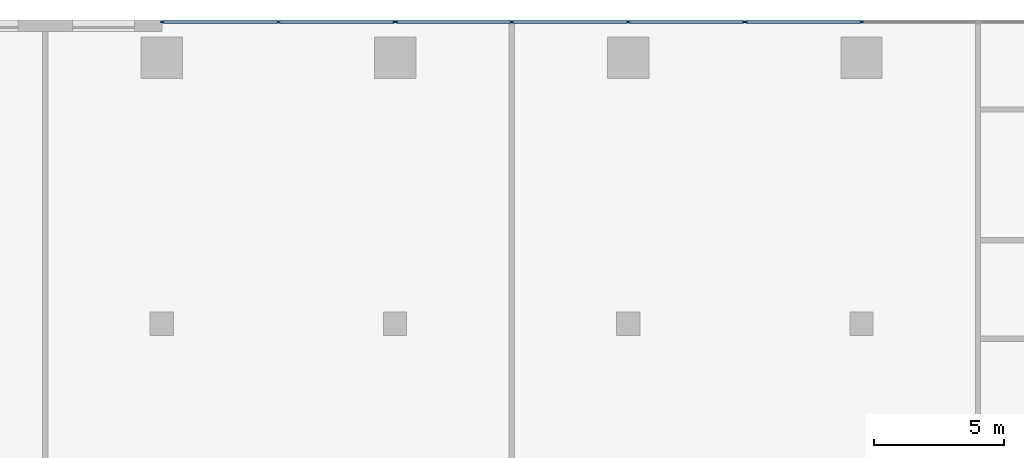
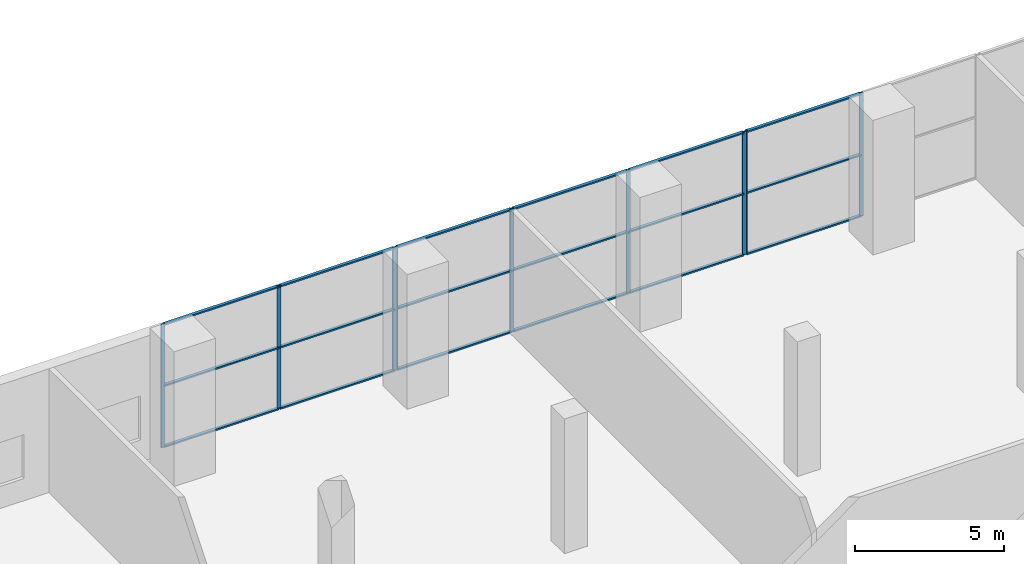
# One storey, part 4 of 21: 27 members, 3 elements without a shape of their own.
"""IFC4 building model written with IfcOpenShell, lengths in metres."""

from ifc_helpers import new_model, si_unit, direction, frame, origin, origin_2d, place, context, subcontext, project, spatial, rectangle, extrude, material, material_profile, profile_set, type_object, element, aggregate, save


model = new_model("IFC4")

# Units and contexts
model_context = context("Model", 3, precision=1e-05, world=origin(), true_north=direction((0.0, 1.0)))
body_context = subcontext(model_context, "Body", "Model", "MODEL_VIEW")
ifc_project = project(units=[si_unit("LENGTHUNIT", "METRE"), si_unit("AREAUNIT", "SQUARE_METRE"), si_unit("VOLUMEUNIT", "CUBIC_METRE"), si_unit("PLANEANGLEUNIT", "RADIAN"), si_unit("MASSUNIT", "GRAM", prefix="KILO")], contexts=[model_context])

# Site, building, storey
site_placement = place(None, origin())
site = spatial("IfcSite", under=ifc_project, at=site_placement, CompositionType="ELEMENT")
building_placement = place(site_placement, origin())
building = spatial("IfcBuilding", under=site, at=building_placement, Name="Kajstack Hotel Tower", CompositionType="ELEMENT")
storey_placement = place(building_placement, frame((0.0, 0.0, 23.5)))
storey = spatial("IfcBuildingStorey", under=building, at=storey_placement, Name="L03", CompositionType="ELEMENT", Elevation=23.5)

# Curtain wall, members
ifc_material_1 = material(Name="Aluminium-framed curtain wall, fritted glass", Category="aluminium")
curtain_wall_type = type_object("IfcCurtainWallType", Name="CW-MEET", PredefinedType="NOTDEFINED", material=ifc_material_1)
curtain_wall_1_placement = place(storey_placement, origin())
curtain_wall_1 = element("IfcCurtainWall", 1, at=curtain_wall_1_placement, inside=storey, type_object=curtain_wall_type, Name="Curtain wall CU3 L03-11-02-1", PredefinedType="NOTDEFINED")
ifc_material_2 = material(Name="Aluminium", Category="aluminium")
ifc_material_profile_1 = material_profile(ifc_material_2, rectangle(XDim=0.050048828125, YDim=0.14990234375, at=origin_2d()), Name="Aluminium mullion 50 x 150")
ifc_profile_set_1 = profile_set([ifc_material_profile_1], Name="Aluminium")
member_type_1 = type_object("IfcMemberType", Name="CW-M-MEET", PredefinedType="MULLION", material=ifc_profile_set_1)
member_1_placement = place(storey_placement, frame((0.0, 21.925048828125, 0.0), z_axis=(0.0, 0.0, 1.0), x_axis=(0.0, -1.0, 0.0)))
member_1 = element("IfcMember", 2, at=member_1_placement, type_object=member_type_1, Name="CU3 mullion 2", PredefinedType="MULLION", context=body_context, shape_type="SweptSolid", body=[
    extrude(rectangle(XDim=0.050048828125, YDim=0.14990234375, at=origin_2d()), origin(), (0.0, 0.0, 1.0), 5.050048828125),
])
member_2_placement = place(storey_placement, frame((-4.47509765625, 21.925048828125, 0.0), z_axis=(0.0, 0.0, 1.0), x_axis=(0.0, -1.0, 0.0)))
member_2 = element("IfcMember", 3, at=member_2_placement, type_object=member_type_1, Name="CU3 mullion 3", PredefinedType="MULLION", context=body_context, shape_type="SweptSolid", body=[
    extrude(rectangle(XDim=0.050048828125, YDim=0.14990234375, at=origin_2d()), origin(), (0.0, 0.0, 1.0), 5.050048828125),
])

curtain_wall_2_placement = place(storey_placement, origin())
curtain_wall_2 = element("IfcCurtainWall", 4, at=curtain_wall_2_placement, inside=storey, type_object=curtain_wall_type, Name="Curtain wall CU3 L03-11-02-2", PredefinedType="NOTDEFINED")
member_3_placement = place(storey_placement, frame((-4.52490234375, 21.925048828125, 0.0), z_axis=(0.0, 0.0, 1.0), x_axis=(0.0, -1.0, 0.0)))
member_3 = element("IfcMember", 5, at=member_3_placement, type_object=member_type_1, Name="CU3 mullion 1", PredefinedType="MULLION", context=body_context, shape_type="SweptSolid", body=[
    extrude(rectangle(XDim=0.050048828125, YDim=0.14990234375, at=origin_2d()), origin(), (0.0, 0.0, 1.0), 5.050048828125),
])
member_4_placement = place(storey_placement, frame((-9.0, 21.925048828125, 0.0), z_axis=(0.0, 0.0, 1.0), x_axis=(0.0, -1.0, 0.0)))
member_4 = element("IfcMember", 6, at=member_4_placement, type_object=member_type_1, Name="CU3 mullion 2", PredefinedType="MULLION", context=body_context, shape_type="SweptSolid", body=[
    extrude(rectangle(XDim=0.050048828125, YDim=0.14990234375, at=origin_2d()), origin(), (0.0, 0.0, 1.0), 5.050048828125),
])
member_5_placement = place(storey_placement, frame((-13.5, 21.925048828125, 0.0), z_axis=(0.0, 0.0, 1.0), x_axis=(0.0, -1.0, 0.0)))
member_5 = element("IfcMember", 7, at=member_5_placement, type_object=member_type_1, Name="CU3 mullion 3", PredefinedType="MULLION", context=body_context, shape_type="SweptSolid", body=[
    extrude(rectangle(XDim=0.050048828125, YDim=0.14990234375, at=origin_2d()), origin(), (0.0, 0.0, 1.0), 5.050048828125),
])
member_6_placement = place(storey_placement, frame((-17.97509765625, 21.925048828125, 0.0), z_axis=(0.0, 0.0, 1.0), x_axis=(0.0, -1.0, 0.0)))
member_6 = element("IfcMember", 8, at=member_6_placement, type_object=member_type_1, Name="CU3 mullion 4", PredefinedType="MULLION", context=body_context, shape_type="SweptSolid", body=[
    extrude(rectangle(XDim=0.050048828125, YDim=0.14990234375, at=origin_2d()), origin(), (0.0, 0.0, 1.0), 5.050048828125),
])

curtain_wall_3_placement = place(storey_placement, origin())
curtain_wall_3 = element("IfcCurtainWall", 9, at=curtain_wall_3_placement, inside=storey, type_object=curtain_wall_type, Name="Curtain wall CU3 L03-11-02-3", PredefinedType="NOTDEFINED")
member_7_placement = place(storey_placement, frame((-18.02490234375, 21.925048828125, 0.0), z_axis=(0.0, 0.0, 1.0), x_axis=(0.0, -1.0, 0.0)))
member_7 = element("IfcMember", 10, at=member_7_placement, type_object=member_type_1, Name="CU3 mullion 1", PredefinedType="MULLION", context=body_context, shape_type="SweptSolid", body=[
    extrude(rectangle(XDim=0.050048828125, YDim=0.14990234375, at=origin_2d()), origin(), (0.0, 0.0, 1.0), 5.050048828125),
])
member_8_placement = place(storey_placement, frame((-22.5, 21.925048828125, 0.0), z_axis=(0.0, 0.0, 1.0), x_axis=(0.0, -1.0, 0.0)))
member_8 = element("IfcMember", 11, at=member_8_placement, type_object=member_type_1, Name="CU3 mullion 2", PredefinedType="MULLION", context=body_context, shape_type="SweptSolid", body=[
    extrude(rectangle(XDim=0.050048828125, YDim=0.14990234375, at=origin_2d()), origin(), (0.0, 0.0, 1.0), 5.050048828125),
])
member_9_placement = place(storey_placement, frame((-26.97509765625, 21.925048828125, 0.0), z_axis=(0.0, 0.0, 1.0), x_axis=(0.0, -1.0, 0.0)))
member_9 = element("IfcMember", 12, at=member_9_placement, type_object=member_type_1, Name="CU3 mullion 3", PredefinedType="MULLION", context=body_context, shape_type="SweptSolid", body=[
    extrude(rectangle(XDim=0.050048828125, YDim=0.14990234375, at=origin_2d()), origin(), (0.0, 0.0, 1.0), 5.050048828125),
])

# Member
ifc_material_profile_2 = material_profile(ifc_material_2, rectangle(XDim=0.1201171875, YDim=0.06005859375, at=origin_2d()), Name="Aluminium transom 120 x 60")
ifc_profile_set_2 = profile_set([ifc_material_profile_2], Name="Aluminium")
member_type_2 = type_object("IfcMemberType", Name="CW-T-MEET", PredefinedType="USERDEFINED", material=ifc_profile_set_2)
member_10_placement = place(storey_placement, frame((-0.02490234375, 21.925048828125, 0.030029296875), z_axis=(-1.0, 0.0, 0.0), x_axis=(0.0, -1.0, 0.0)))
member_10 = element("IfcMember", 13, at=member_10_placement, type_object=member_type_2, Name="CU3 transom 2.1", ObjectType="TRANSOM", PredefinedType="USERDEFINED", context=body_context, shape_type="SweptSolid", body=[
    extrude(rectangle(XDim=0.1201171875, YDim=0.06005859375, at=origin_2d()), origin(), (0.0, 0.0, 1.0), 4.425048828125),
])

member_11_placement = place(storey_placement, frame((-0.02490234375, 21.925048828125, 2.52490234375), z_axis=(-1.0, 0.0, 0.0), x_axis=(0.0, -1.0, 0.0)))
member_11 = element("IfcMember", 14, at=member_11_placement, type_object=member_type_2, Name="CU3 transom 2.2", ObjectType="TRANSOM", PredefinedType="USERDEFINED", context=body_context, shape_type="SweptSolid", body=[
    extrude(rectangle(XDim=0.1201171875, YDim=0.06005859375, at=origin_2d()), origin(), (0.0, 0.0, 1.0), 4.425048828125),
])

member_12_placement = place(storey_placement, frame((-0.02490234375, 21.925048828125, 5.02001953125), z_axis=(-1.0, 0.0, 0.0), x_axis=(0.0, -1.0, 0.0)))
member_12 = element("IfcMember", 15, at=member_12_placement, type_object=member_type_2, Name="CU3 transom 2.3", ObjectType="TRANSOM", PredefinedType="USERDEFINED", context=body_context, shape_type="SweptSolid", body=[
    extrude(rectangle(XDim=0.1201171875, YDim=0.06005859375, at=origin_2d()), origin(), (0.0, 0.0, 1.0), 4.425048828125),
])

aggregate(curtain_wall_1, [member_1, member_2, member_10, member_11, member_12])

member_13_placement = place(storey_placement, frame((-4.550048828125, 21.925048828125, 0.030029296875), z_axis=(-1.0, 0.0, 0.0), x_axis=(0.0, -1.0, 0.0)))
member_13 = element("IfcMember", 16, at=member_13_placement, type_object=member_type_2, Name="CU3 transom 1.1", ObjectType="TRANSOM", PredefinedType="USERDEFINED", context=body_context, shape_type="SweptSolid", body=[
    extrude(rectangle(XDim=0.1201171875, YDim=0.06005859375, at=origin_2d()), origin(), (0.0, 0.0, 1.0), 4.425048828125),
])

member_14_placement = place(storey_placement, frame((-4.550048828125, 21.925048828125, 2.52490234375), z_axis=(-1.0, 0.0, 0.0), x_axis=(0.0, -1.0, 0.0)))
member_14 = element("IfcMember", 17, at=member_14_placement, type_object=member_type_2, Name="CU3 transom 1.2", ObjectType="TRANSOM", PredefinedType="USERDEFINED", context=body_context, shape_type="SweptSolid", body=[
    extrude(rectangle(XDim=0.1201171875, YDim=0.06005859375, at=origin_2d()), origin(), (0.0, 0.0, 1.0), 4.425048828125),
])

member_15_placement = place(storey_placement, frame((-4.550048828125, 21.925048828125, 5.02001953125), z_axis=(-1.0, 0.0, 0.0), x_axis=(0.0, -1.0, 0.0)))
member_15 = element("IfcMember", 18, at=member_15_placement, type_object=member_type_2, Name="CU3 transom 1.3", ObjectType="TRANSOM", PredefinedType="USERDEFINED", context=body_context, shape_type="SweptSolid", body=[
    extrude(rectangle(XDim=0.1201171875, YDim=0.06005859375, at=origin_2d()), origin(), (0.0, 0.0, 1.0), 4.425048828125),
])

member_16_placement = place(storey_placement, frame((-9.02490234375, 21.925048828125, 0.030029296875), z_axis=(-1.0, 0.0, 0.0), x_axis=(0.0, -1.0, 0.0)))
member_16 = element("IfcMember", 19, at=member_16_placement, type_object=member_type_2, Name="CU3 transom 2.1", ObjectType="TRANSOM", PredefinedType="USERDEFINED", context=body_context, shape_type="SweptSolid", body=[
    extrude(rectangle(XDim=0.1201171875, YDim=0.06005859375, at=origin_2d()), origin(), (0.0, 0.0, 1.0), 4.4501953125),
])

member_17_placement = place(storey_placement, frame((-9.02490234375, 21.925048828125, 2.52490234375), z_axis=(-1.0, 0.0, 0.0), x_axis=(0.0, -1.0, 0.0)))
member_17 = element("IfcMember", 20, at=member_17_placement, type_object=member_type_2, Name="CU3 transom 2.2", ObjectType="TRANSOM", PredefinedType="USERDEFINED", context=body_context, shape_type="SweptSolid", body=[
    extrude(rectangle(XDim=0.1201171875, YDim=0.06005859375, at=origin_2d()), origin(), (0.0, 0.0, 1.0), 4.4501953125),
])

member_18_placement = place(storey_placement, frame((-9.02490234375, 21.925048828125, 5.02001953125), z_axis=(-1.0, 0.0, 0.0), x_axis=(0.0, -1.0, 0.0)))
member_18 = element("IfcMember", 21, at=member_18_placement, type_object=member_type_2, Name="CU3 transom 2.3", ObjectType="TRANSOM", PredefinedType="USERDEFINED", context=body_context, shape_type="SweptSolid", body=[
    extrude(rectangle(XDim=0.1201171875, YDim=0.06005859375, at=origin_2d()), origin(), (0.0, 0.0, 1.0), 4.4501953125),
])

member_19_placement = place(storey_placement, frame((-13.52490234375, 21.925048828125, 0.030029296875), z_axis=(-1.0, 0.0, 0.0), x_axis=(0.0, -1.0, 0.0)))
member_19 = element("IfcMember", 22, at=member_19_placement, type_object=member_type_2, Name="CU3 transom 3.1", ObjectType="TRANSOM", PredefinedType="USERDEFINED", context=body_context, shape_type="SweptSolid", body=[
    extrude(rectangle(XDim=0.1201171875, YDim=0.06005859375, at=origin_2d()), origin(), (0.0, 0.0, 1.0), 4.425048828125),
])

member_20_placement = place(storey_placement, frame((-13.52490234375, 21.925048828125, 2.52490234375), z_axis=(-1.0, 0.0, 0.0), x_axis=(0.0, -1.0, 0.0)))
member_20 = element("IfcMember", 23, at=member_20_placement, type_object=member_type_2, Name="CU3 transom 3.2", ObjectType="TRANSOM", PredefinedType="USERDEFINED", context=body_context, shape_type="SweptSolid", body=[
    extrude(rectangle(XDim=0.1201171875, YDim=0.06005859375, at=origin_2d()), origin(), (0.0, 0.0, 1.0), 4.425048828125),
])

member_21_placement = place(storey_placement, frame((-13.52490234375, 21.925048828125, 5.02001953125), z_axis=(-1.0, 0.0, 0.0), x_axis=(0.0, -1.0, 0.0)))
member_21 = element("IfcMember", 24, at=member_21_placement, type_object=member_type_2, Name="CU3 transom 3.3", ObjectType="TRANSOM", PredefinedType="USERDEFINED", context=body_context, shape_type="SweptSolid", body=[
    extrude(rectangle(XDim=0.1201171875, YDim=0.06005859375, at=origin_2d()), origin(), (0.0, 0.0, 1.0), 4.425048828125),
])

aggregate(curtain_wall_2, [member_3, member_4, member_5, member_6, member_13, member_14, member_15, member_16, member_17, member_18, member_19, member_20, member_21])

member_22_placement = place(storey_placement, frame((-18.050048828125, 21.925048828125, 0.030029296875), z_axis=(-1.0, 0.0, 0.0), x_axis=(0.0, -1.0, 0.0)))
member_22 = element("IfcMember", 25, at=member_22_placement, type_object=member_type_2, Name="CU3 transom 1.1", ObjectType="TRANSOM", PredefinedType="USERDEFINED", context=body_context, shape_type="SweptSolid", body=[
    extrude(rectangle(XDim=0.1201171875, YDim=0.06005859375, at=origin_2d()), origin(), (0.0, 0.0, 1.0), 4.425048828125),
])

member_23_placement = place(storey_placement, frame((-18.050048828125, 21.925048828125, 2.52490234375), z_axis=(-1.0, 0.0, 0.0), x_axis=(0.0, -1.0, 0.0)))
member_23 = element("IfcMember", 26, at=member_23_placement, type_object=member_type_2, Name="CU3 transom 1.2", ObjectType="TRANSOM", PredefinedType="USERDEFINED", context=body_context, shape_type="SweptSolid", body=[
    extrude(rectangle(XDim=0.1201171875, YDim=0.06005859375, at=origin_2d()), origin(), (0.0, 0.0, 1.0), 4.425048828125),
])

member_24_placement = place(storey_placement, frame((-18.050048828125, 21.925048828125, 5.02001953125), z_axis=(-1.0, 0.0, 0.0), x_axis=(0.0, -1.0, 0.0)))
member_24 = element("IfcMember", 27, at=member_24_placement, type_object=member_type_2, Name="CU3 transom 1.3", ObjectType="TRANSOM", PredefinedType="USERDEFINED", context=body_context, shape_type="SweptSolid", body=[
    extrude(rectangle(XDim=0.1201171875, YDim=0.06005859375, at=origin_2d()), origin(), (0.0, 0.0, 1.0), 4.425048828125),
])

member_25_placement = place(storey_placement, frame((-22.52490234375, 21.925048828125, 0.030029296875), z_axis=(-1.0, 0.0, 0.0), x_axis=(0.0, -1.0, 0.0)))
member_25 = element("IfcMember", 28, at=member_25_placement, type_object=member_type_2, Name="CU3 transom 2.1", ObjectType="TRANSOM", PredefinedType="USERDEFINED", context=body_context, shape_type="SweptSolid", body=[
    extrude(rectangle(XDim=0.1201171875, YDim=0.06005859375, at=origin_2d()), origin(), (0.0, 0.0, 1.0), 4.425048828125),
])

member_26_placement = place(storey_placement, frame((-22.52490234375, 21.925048828125, 2.52490234375), z_axis=(-1.0, 0.0, 0.0), x_axis=(0.0, -1.0, 0.0)))
member_26 = element("IfcMember", 29, at=member_26_placement, type_object=member_type_2, Name="CU3 transom 2.2", ObjectType="TRANSOM", PredefinedType="USERDEFINED", context=body_context, shape_type="SweptSolid", body=[
    extrude(rectangle(XDim=0.1201171875, YDim=0.06005859375, at=origin_2d()), origin(), (0.0, 0.0, 1.0), 4.425048828125),
])

member_27_placement = place(storey_placement, frame((-22.52490234375, 21.925048828125, 5.02001953125), z_axis=(-1.0, 0.0, 0.0), x_axis=(0.0, -1.0, 0.0)))
member_27 = element("IfcMember", 30, at=member_27_placement, type_object=member_type_2, Name="CU3 transom 2.3", ObjectType="TRANSOM", PredefinedType="USERDEFINED", context=body_context, shape_type="SweptSolid", body=[
    extrude(rectangle(XDim=0.1201171875, YDim=0.06005859375, at=origin_2d()), origin(), (0.0, 0.0, 1.0), 4.425048828125),
])

aggregate(curtain_wall_3, [member_7, member_8, member_9, member_22, member_23, member_24, member_25, member_26, member_27])

save(model, "model.ifc")
